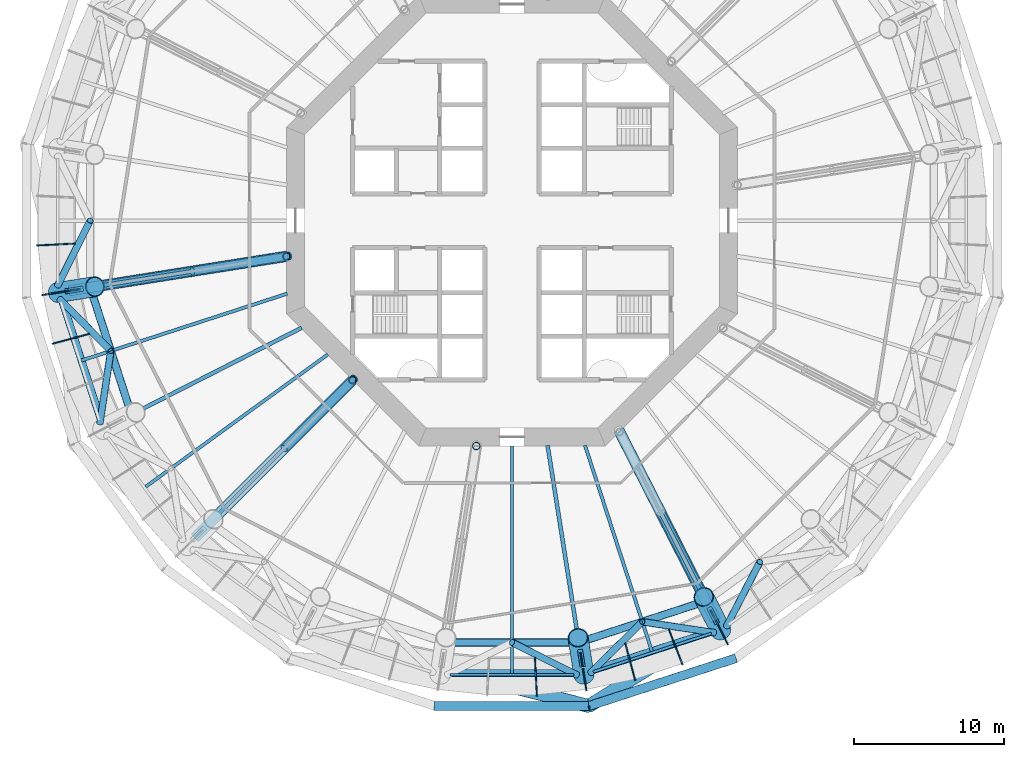
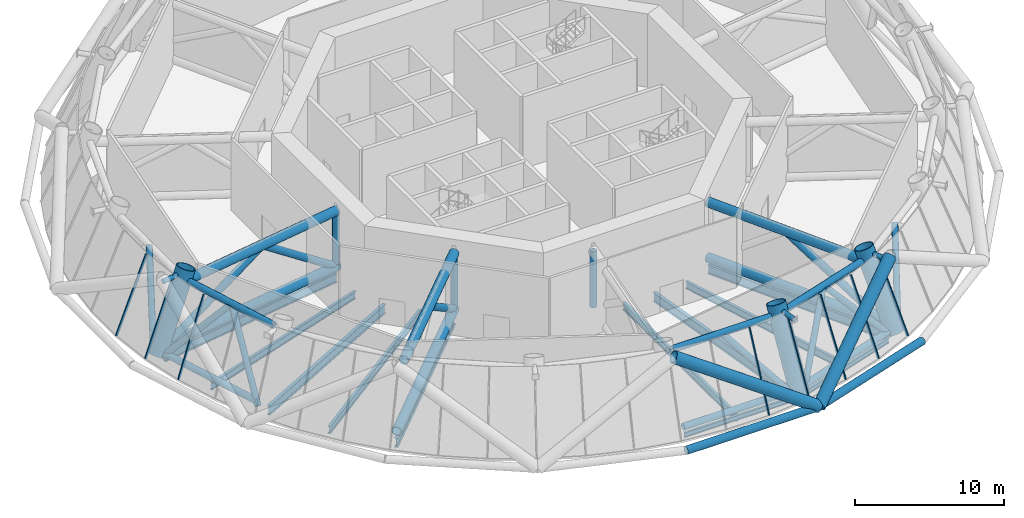
# One storey, part 2 of 18: 44 members, 11 beams, 5 elements without a shape of their own.
"""IFC4 building model written with IfcOpenShell, lengths in metres."""

from ifc_helpers import new_model, si_unit, direction, frame, origin, origin_2d, place, context, subcontext, project, spatial, rectangle, circle, hollow_circle, i_section, extrude, material, layer, layer_set, material_profile, profile_set, type_object, element, aggregate, save


model = new_model("IFC4")

# Units and contexts
model_context = context("Model", 3, precision=1e-05, world=origin(), true_north=direction((0.0, 1.0)))
body_context = subcontext(model_context, "Body", "Model", "MODEL_VIEW")
ifc_project = project(units=[si_unit("LENGTHUNIT", "METRE"), si_unit("AREAUNIT", "SQUARE_METRE"), si_unit("VOLUMEUNIT", "CUBIC_METRE"), si_unit("PLANEANGLEUNIT", "RADIAN"), si_unit("MASSUNIT", "GRAM", prefix="KILO")], contexts=[model_context])

# Site, building, storey
site_placement = place(None, origin())
site = spatial("IfcSite", under=ifc_project, at=site_placement, CompositionType="ELEMENT")
building_placement = place(site_placement, origin())
building = spatial("IfcBuilding", under=site, at=building_placement, Name="Entoto Ring Tower", CompositionType="ELEMENT")
storey_placement = place(building_placement, frame((0.0, 0.0, 138.0)))
storey = spatial("IfcBuildingStorey", under=building, at=storey_placement, Name="L31", CompositionType="ELEMENT", Elevation=138.0)

# Members
ifc_material_1 = material(Name="Steel S355", Category="steel")
ifc_material_profile_1 = material_profile(ifc_material_1, hollow_circle(Radius=0.449951171875, WallThickness=0.044921875, at=origin_2d()), Name="CHS 900 x 45")
ifc_material_2 = material(Name="Concrete C60/75", Category="concrete")
ifc_material_profile_2 = material_profile(ifc_material_2, circle(Radius=0.405029296875, at=origin_2d()), Name="Concrete C60/75 infill")
ifc_profile_set_1 = profile_set([ifc_material_profile_1, ifc_material_profile_2], Name="Steel S355")
member_type_1 = type_object("IfcMemberType", Name="Diagrid diagonal 900 x 45 concrete-filled tube", PredefinedType="BRACE", material=ifc_profile_set_1)
member_1_placement = place(storey_placement, frame((95.115478515625, 47.70263671875, 0.0), z_axis=(-0.834845945044, 0.209498607785, 0.509060488919), x_axis=(-0.243396217162, -0.969926946461, 0.0)))
element("IfcMember", 1, at=member_1_placement, inside=storey, type_object=member_type_1, Name="DG2 module 10 15", PredefinedType="BRACE", context=body_context, shape_type="SweptSolid", body=[
    extrude(hollow_circle(Radius=0.449951171875, WallThickness=0.044921875, at=origin_2d()), origin(), (0.0, 0.0, 1.0), 11.786376953125),
])
member_2_placement = place(storey_placement, frame((95.115478515625, 47.70263671875, 0.0), z_axis=(0.729241692547, 0.457223459156, 0.509070979578), x_axis=(-0.531207647366, 0.847241662915, 0.0)))
element("IfcMember", 2, at=member_2_placement, inside=storey, type_object=member_type_1, Name="DG2 module 10 16", PredefinedType="BRACE", context=body_context, shape_type="SweptSolid", body=[
    extrude(hollow_circle(Radius=0.449951171875, WallThickness=0.044921875, at=origin_2d()), origin(), (0.0, 0.0, 1.0), 11.7861328125),
])
ifc_material_3 = material(Name="Steel S355", Category="steel")
ifc_material_profile_3 = material_profile(ifc_material_3, hollow_circle(Radius=0.177734375, WallThickness=0.01611328125, at=origin_2d()), Name="CHS 355.6 x 16")
ifc_material_4 = material(Name="Concrete C60/75", Category="concrete")
ifc_material_profile_4 = material_profile(ifc_material_4, circle(Radius=0.161865234375, at=origin_2d()), Name="Concrete C60/75 infill")
ifc_profile_set_2 = profile_set([ifc_material_profile_3, ifc_material_profile_4], Name="Steel S355")
member_type_2 = type_object("IfcMemberType", Name="Diagrid node strut 355.6 x 16", PredefinedType="STRUT", material=ifc_profile_set_2)
for number, where, z_axis, x_axis, name in (
    (3, (61.464111328125, 75.48046875, 5.672119140625), (-0.987667778842, -0.156564231664, 0.0), (0.156564231664, -0.987667778842, 0.0), "DS1 strut ring 10 11"),
    (4, (94.51953125, 51.464111328125, 5.672119140625), (0.156564231664, -0.987667778842, 0.0), (0.987667778842, 0.156564231664, 0.0), "DS1 strut ring 10 16"),
):
    element("IfcMember", number, at=place(storey_placement, frame(where, z_axis=z_axis, x_axis=x_axis)), inside=storey, type_object=member_type_2, Name=name, PredefinedType="STRUT", context=body_context, shape_type="SweptSolid", body=[
        extrude(hollow_circle(Radius=0.177734375, WallThickness=0.01611328125, at=origin_2d()), origin(), (0.0, 0.0, 1.0), 1.20849609375),
    ])
member_3_placement = place(storey_placement, frame((103.116455078125, 54.25732421875, 5.672119140625), z_axis=(0.453989339683, -0.891007115266, 0.0), x_axis=(0.891007115266, 0.453989339683, 0.0)))
element("IfcMember", 5, at=member_3_placement, inside=storey, type_object=member_type_2, Name="DS1 strut ring 10 17", PredefinedType="STRUT", context=body_context, shape_type="SweptSolid", body=[
    extrude(hollow_circle(Radius=0.177734375, WallThickness=0.01611328125, at=origin_2d()), origin(), (0.0, 0.0, 1.0), 1.208251953125),
])
ifc_material_5 = material(Name="Steel S355", Category="steel")
ifc_material_profile_5 = material_profile(ifc_material_5, hollow_circle(Radius=0.300048828125, WallThickness=0.030029296875, at=origin_2d()), Name="CHS 600 x 30")
ifc_material_6 = material(Name="Concrete C60/75", Category="concrete")
ifc_material_profile_6 = material_profile(ifc_material_6, circle(Radius=0.27001953125, at=origin_2d()), Name="Concrete C60/75 infill")
ifc_profile_set_3 = profile_set([ifc_material_profile_5, ifc_material_profile_6], Name="Steel S355")
member_type_3 = type_object("IfcMemberType", Name="Diagrid ring beam 600 x 30", PredefinedType="CHORD", material=ifc_profile_set_3)
for number, where, z_axis, x_axis, name in (
    (6, (84.817138671875, 47.70263671875, 0.0), (1.0, 0.0, 0.0), (0.0, 1.0, 0.0), "DR1 ring 9 14"),
    (7, (95.05126953125, 47.681640625, 0.0), (0.951051375491, 0.309032815696, 0.0), (-0.309032815696, 0.951051375491, 0.0), "DR1 ring 9 15"),
):
    element("IfcMember", number, at=place(storey_placement, frame(where, z_axis=z_axis, x_axis=x_axis)), inside=storey, type_object=member_type_3, Name=name, PredefinedType="CHORD", context=body_context, shape_type="SweptSolid", body=[
        extrude(hollow_circle(Radius=0.300048828125, WallThickness=0.030029296875, at=origin_2d()), origin(), (0.0, 0.0, 1.0), 10.36572265625),
    ])

# Beams
ifc_material_7 = material(Name="Steel S355", Category="steel")
ifc_material_profile_7 = material_profile(ifc_material_7, i_section(OverallWidth=0.179931640625, OverallDepth=0.39990234375, WebThickness=0.008544921875, FlangeThickness=0.013427734375, FilletRadius=0.02099609375, at=origin_2d()), Name="IPE 400")
ifc_profile_set_4 = profile_set([ifc_material_profile_7], Name="Steel S355")
beam_type_1 = type_object("IfcBeamType", Name="Edge beam IPE 400", PredefinedType="SPANDREL", material=ifc_profile_set_4)
for number, where, z_axis, x_axis, name in (
    (8, (85.862060546875, 49.77685546875, -0.35009765625), (1.0, 0.0, 0.0), (0.0, 1.0, 0.0), "Edge beam L31 15"),
    (9, (95.404052734375, 49.977294921875, -0.35009765625), (0.951057262656, 0.309014697302, 0.0), (-0.309014697302, 0.951057262656, 0.0), "Edge beam L31 16"),
):
    element("IfcBeam", number, at=place(storey_placement, frame(where, z_axis=z_axis, x_axis=x_axis)), inside=storey, type_object=beam_type_1, Name=name, PredefinedType="SPANDREL", context=body_context, shape_type="SweptSolid", body=[
        extrude(i_section(OverallWidth=0.179931640625, OverallDepth=0.39990234375, WebThickness=0.008544921875, FlangeThickness=0.013427734375, FilletRadius=0.02099609375, at=origin_2d()), origin(), (0.0, 0.0, 1.0), 8.27587890625),
    ])

# Curtain wall, member
ifc_material_8 = material(Name="Anodised aluminium", Category="aluminium")
ifc_layer = layer(ifc_material_8, 0.10009765625)
ifc_layer_set = layer_set([ifc_layer], Name="Anodised aluminium")
curtain_wall_type = type_object("IfcCurtainWallType", Name="Louvre curtain wall system CW7", PredefinedType="NOTDEFINED", material=ifc_layer_set)
curtain_wall_1_placement = place(storey_placement, origin())
curtain_wall_1 = element("IfcCurtainWall", 10, at=curtain_wall_1_placement, inside=storey, type_object=curtain_wall_type, Name="CW7 L31-10", PredefinedType="NOTDEFINED")
ifc_material_9 = material(Name="Anodised aluminium", Category="aluminium")
ifc_material_profile_8 = material_profile(ifc_material_9, rectangle(XDim=0.080078125, YDim=0.199951171875, at=origin_2d()), Name="Mullion 80 x 200 mm anodised aluminium")
ifc_profile_set_5 = profile_set([ifc_material_profile_8], Name="Anodised aluminium")
member_type_4 = type_object("IfcMemberType", Name="Mullion 80 x 200 mm anodised aluminium", PredefinedType="MULLION", material=ifc_profile_set_5)
member_4_placement = place(storey_placement, frame((58.450927734375, 78.3466796875, 0.03857421875), z_axis=(0.384088559131, 0.020104239044, 0.923077352293), x_axis=(-0.052271161513, 0.998632928395, 0.0)))
member_4 = element("IfcMember", 11, at=member_4_placement, type_object=member_type_4, Name="MULLION L31-29", PredefinedType="MULLION", context=body_context, shape_type="SweptSolid", body=[
    extrude(rectangle(XDim=0.080078125, YDim=0.199951171875, at=origin_2d()), origin(), (0.0, 0.0, 1.0), 6.25390625),
])
aggregate(curtain_wall_1, [member_4])

# Curtain wall, members
curtain_wall_2_placement = place(storey_placement, origin())
curtain_wall_2 = element("IfcCurtainWall", 12, at=curtain_wall_2_placement, inside=storey, type_object=curtain_wall_type, Name="CW7 L31-11", PredefinedType="NOTDEFINED")
member_5_placement = place(storey_placement, frame((58.796630859375, 75.057861328125, 0.03857421875), z_axis=(0.379873712431, 0.060156755817, 0.923080238838), x_axis=(-0.156410801358, 0.987692088264, 0.0)))
member_5 = element("IfcMember", 13, at=member_5_placement, type_object=member_type_4, Name="MULLION L31-30", PredefinedType="MULLION", context=body_context, shape_type="SweptSolid", body=[
    extrude(rectangle(XDim=0.080078125, YDim=0.199951171875, at=origin_2d()), origin(), (0.0, 0.0, 1.0), 6.25390625),
])
member_6_placement = place(storey_placement, frame((59.484130859375, 71.8232421875, 0.03857421875), z_axis=(0.371517215719, 0.099544909119, 0.923074086676), x_axis=(-0.258812183003, 0.965927664957, 0.0)))
member_6 = element("IfcMember", 14, at=member_6_placement, type_object=member_type_4, Name="MULLION L31-31", PredefinedType="MULLION", context=body_context, shape_type="SweptSolid", body=[
    extrude(rectangle(XDim=0.080078125, YDim=0.199951171875, at=origin_2d()), origin(), (0.0, 0.0, 1.0), 6.254150390625),
])
aggregate(curtain_wall_2, [member_5, member_6])

# Curtain wall, member
curtain_wall_3_placement = place(storey_placement, origin())
curtain_wall_3 = element("IfcCurtainWall", 15, at=curtain_wall_3_placement, inside=storey, type_object=curtain_wall_type, Name="CW7 L31-15", PredefinedType="NOTDEFINED")
member_7_placement = place(storey_placement, frame((91.6533203125, 48.450927734375, 0.03857421875), z_axis=(-0.020104239044, 0.384088559131, 0.923077352293), x_axis=(-0.998632928395, -0.052271161513, 0.0)))
member_7 = element("IfcMember", 16, at=member_7_placement, type_object=member_type_4, Name="MULLION L31-44", PredefinedType="MULLION", context=body_context, shape_type="SweptSolid", body=[
    extrude(rectangle(XDim=0.080078125, YDim=0.199951171875, at=origin_2d()), origin(), (0.0, 0.0, 1.0), 6.25390625),
])
aggregate(curtain_wall_3, [member_7])

# Curtain wall, members
curtain_wall_4_placement = place(storey_placement, origin())
curtain_wall_4 = element("IfcCurtainWall", 17, at=curtain_wall_4_placement, inside=storey, type_object=curtain_wall_type, Name="CW7 L31-16", PredefinedType="NOTDEFINED")
member_8_placement = place(storey_placement, frame((94.942138671875, 48.796630859375, 0.03857421875), z_axis=(-0.060156755817, 0.379873712431, 0.923080238838), x_axis=(-0.987692088264, -0.156410801358, 0.0)))
member_8 = element("IfcMember", 18, at=member_8_placement, type_object=member_type_4, Name="MULLION L31-45", PredefinedType="MULLION", context=body_context, shape_type="SweptSolid", body=[
    extrude(rectangle(XDim=0.080078125, YDim=0.199951171875, at=origin_2d()), origin(), (0.0, 0.0, 1.0), 6.25390625),
])
member_9_placement = place(storey_placement, frame((98.1767578125, 49.484130859375, 0.03857421875), z_axis=(-0.099544909119, 0.371517215719, 0.923074086676), x_axis=(-0.965927664957, -0.258812183003, 0.0)))
member_9 = element("IfcMember", 19, at=member_9_placement, type_object=member_type_4, Name="MULLION L31-46", PredefinedType="MULLION", context=body_context, shape_type="SweptSolid", body=[
    extrude(rectangle(XDim=0.080078125, YDim=0.199951171875, at=origin_2d()), origin(), (0.0, 0.0, 1.0), 6.254150390625),
])
member_10_placement = place(storey_placement, frame((101.32177734375, 50.506103515625, 0.03857421875), z_axis=(-0.137840906866, 0.359065607861, 0.92307733893), x_axis=(-0.933573002991, -0.358387287841, 0.0)))
member_10 = element("IfcMember", 20, at=member_10_placement, type_object=member_type_4, Name="MULLION L31-47", PredefinedType="MULLION", context=body_context, shape_type="SweptSolid", body=[
    extrude(rectangle(XDim=0.080078125, YDim=0.199951171875, at=origin_2d()), origin(), (0.0, 0.0, 1.0), 6.25390625),
])
aggregate(curtain_wall_4, [member_8, member_9, member_10])

# Curtain wall, member
curtain_wall_5_placement = place(storey_placement, origin())
curtain_wall_5 = element("IfcCurtainWall", 21, at=curtain_wall_5_placement, inside=storey, type_object=curtain_wall_type, Name="CW7 L31-17", PredefinedType="NOTDEFINED")
member_11_placement = place(storey_placement, frame((104.342529296875, 51.85107421875, 0.03857421875), z_axis=(-0.174613111757, 0.342707021712, 0.923072130698), x_axis=(-0.891011611713, -0.453980514773, 0.0)))
member_11 = element("IfcMember", 22, at=member_11_placement, type_object=member_type_4, Name="MULLION L31-48", PredefinedType="MULLION", context=body_context, shape_type="SweptSolid", body=[
    extrude(rectangle(XDim=0.080078125, YDim=0.199951171875, at=origin_2d()), origin(), (0.0, 0.0, 1.0), 6.254150390625),
])
aggregate(curtain_wall_5, [member_11])

# Members
ifc_material_10 = material(Name="Steel S355", Category="steel")
ifc_material_profile_9 = material_profile(ifc_material_10, hollow_circle(Radius=0.35546875, WallThickness=0.0400390625, at=origin_2d()), Name="CHS 711 x 40")
ifc_material_11 = material(Name="Concrete C60/75", Category="concrete")
ifc_material_profile_10 = material_profile(ifc_material_11, circle(Radius=0.3154296875, at=origin_2d()), Name="Concrete C60/75 infill")
ifc_profile_set_6 = profile_set([ifc_material_profile_9, ifc_material_profile_10], Name="Steel S355")
member_type_5 = type_object("IfcMemberType", Name="Outrigger chord 711 x 40", PredefinedType="CHORD", material=ifc_profile_set_6)
member_12_placement = place(storey_placement, frame((75.075439453125, 77.63623046875, 0.35546875), z_axis=(-0.987686969269, -0.156443123004, 0.0), x_axis=(0.156443123004, -0.987686969269, 0.0)))
element("IfcMember", 23, at=member_12_placement, inside=storey, type_object=member_type_5, Name="OR1 L31 bottom 06", PredefinedType="CHORD", context=body_context, shape_type="SweptSolid", body=[
    extrude(hollow_circle(Radius=0.35546875, WallThickness=0.0400390625, at=origin_2d()), origin(), (0.0, 0.0, 1.0), 14.739501953125),
])
member_13_placement = place(storey_placement, frame((75.075439453125, 77.63623046875, 4.89453125), z_axis=(-0.987687356525, -0.156440678087, 0.0), x_axis=(0.156440678087, -0.987687356525, 0.0)))
element("IfcMember", 24, at=member_13_placement, inside=storey, type_object=member_type_5, Name="OR1 L31 top 06", PredefinedType="CHORD", context=body_context, shape_type="SweptSolid", body=[
    extrude(hollow_circle(Radius=0.35546875, WallThickness=0.0400390625, at=origin_2d()), origin(), (0.0, 0.0, 1.0), 12.848388671875),
])
member_14_placement = place(storey_placement, frame((79.407470703125, 69.407470703125, 0.35546875), z_axis=(-0.707106781187, -0.707106781187, 0.0), x_axis=(0.707106781187, -0.707106781187, 0.0)))
element("IfcMember", 25, at=member_14_placement, inside=storey, type_object=member_type_5, Name="OR1 L31 bottom 07", PredefinedType="CHORD", context=body_context, shape_type="SweptSolid", body=[
    extrude(hollow_circle(Radius=0.35546875, WallThickness=0.0400390625, at=origin_2d()), origin(), (0.0, 0.0, 1.0), 14.870361328125),
])
member_15_placement = place(storey_placement, frame((79.407470703125, 69.407470703125, 4.89453125), z_axis=(-0.707106781187, -0.707106781187, 0.0), x_axis=(0.707106781187, -0.707106781187, 0.0)))
element("IfcMember", 26, at=member_15_placement, inside=storey, type_object=member_type_5, Name="OR1 L31 top 07", PredefinedType="CHORD", context=body_context, shape_type="SweptSolid", body=[
    extrude(hollow_circle(Radius=0.35546875, WallThickness=0.0400390625, at=origin_2d()), origin(), (0.0, 0.0, 1.0), 12.97900390625),
])
member_16_placement = place(storey_placement, frame((97.098876953125, 66.06787109375, 0.35546875), z_axis=(0.453988820208, -0.89100737995, 0.0), x_axis=(0.89100737995, 0.453988820208, 0.0)))
element("IfcMember", 27, at=member_16_placement, inside=storey, type_object=member_type_5, Name="OR1 L31 bottom 09", PredefinedType="CHORD", context=body_context, shape_type="SweptSolid", body=[
    extrude(hollow_circle(Radius=0.35546875, WallThickness=0.0400390625, at=origin_2d()), origin(), (0.0, 0.0, 1.0), 14.213623046875),
])
member_17_placement = place(storey_placement, frame((97.098876953125, 66.06787109375, 4.89453125), z_axis=(0.453984546061, -0.891009557714, 0.0), x_axis=(0.891009557714, 0.453984546061, 0.0)))
element("IfcMember", 28, at=member_17_placement, inside=storey, type_object=member_type_5, Name="OR1 L31 top 09", PredefinedType="CHORD", context=body_context, shape_type="SweptSolid", body=[
    extrude(hollow_circle(Radius=0.35546875, WallThickness=0.0400390625, at=origin_2d()), origin(), (0.0, 0.0, 1.0), 12.322509765625),
])
ifc_material_12 = material(Name="Steel S355", Category="steel")
ifc_material_profile_11 = material_profile(ifc_material_12, hollow_circle(Radius=0.279541015625, WallThickness=0.031982421875, at=origin_2d()), Name="CHS 559 x 32")
ifc_material_13 = material(Name="Concrete C60/75", Category="concrete")
ifc_material_profile_12 = material_profile(ifc_material_13, circle(Radius=0.24755859375, at=origin_2d()), Name="Concrete C60/75 infill")
ifc_profile_set_7 = profile_set([ifc_material_profile_11, ifc_material_profile_12], Name="Steel S355")
member_type_6 = type_object("IfcMemberType", Name="Outrigger diagonal 559 x 32", PredefinedType="BRACE", material=ifc_profile_set_7)
member_18_placement = place(storey_placement, frame((75.182373046875, 77.653076171875, 0.223388671875), z_axis=(-0.803483969529, -0.127267435137, 0.581563849172), x_axis=(0.156444149931, -0.98768680661, 0.0)))
element("IfcMember", 29, at=member_18_placement, inside=storey, type_object=member_type_6, Name="OR2 L31 06 1", PredefinedType="BRACE", context=body_context, shape_type="SweptSolid", body=[
    extrude(hollow_circle(Radius=0.279541015625, WallThickness=0.031982421875, at=origin_2d()), origin(), (0.0, 0.0, 1.0), 8.031982421875),
])
member_19_placement = place(storey_placement, frame((68.728759765625, 76.630859375, 4.89453125), z_axis=(-0.865125410982, -0.137005124238, -0.48248069309), x_axis=(0.156415219895, -0.987691388535, 0.0)))
element("IfcMember", 30, at=member_19_placement, inside=storey, type_object=member_type_6, Name="OR2 L31 06 2", PredefinedType="BRACE", context=body_context, shape_type="SweptSolid", body=[
    extrude(hollow_circle(Radius=0.279541015625, WallThickness=0.031982421875, at=origin_2d()), origin(), (0.0, 0.0, 1.0), 9.517578125),
])
member_20_placement = place(storey_placement, frame((79.518798828125, 69.518798828125, 0.23046875), z_axis=(-0.578052859484, -0.578052859484, 0.575942517345), x_axis=(0.707106781187, -0.707106781187, 0.0)))
element("IfcMember", 31, at=member_20_placement, inside=storey, type_object=member_type_6, Name="OR2 L31 07 1", PredefinedType="BRACE", context=body_context, shape_type="SweptSolid", body=[
    extrude(hollow_circle(Radius=0.279541015625, WallThickness=0.031982421875, at=origin_2d()), origin(), (0.0, 0.0, 1.0), 8.09814453125),
])
member_21_placement = place(storey_placement, frame((99.91015625, 60.550537109375, 4.89453125), z_axis=(0.394219192289, -0.77373913237, -0.495902191436), x_axis=(0.891016113801, 0.453971678573, 0.0)))
element("IfcMember", 32, at=member_21_placement, inside=storey, type_object=member_type_6, Name="OR2 L31 09 2", PredefinedType="BRACE", context=body_context, shape_type="SweptSolid", body=[
    extrude(hollow_circle(Radius=0.279541015625, WallThickness=0.031982421875, at=origin_2d()), origin(), (0.0, 0.0, 1.0), 9.267822265625),
])
ifc_material_14 = material(Name="Steel S355", Category="steel")
ifc_material_profile_13 = material_profile(ifc_material_14, hollow_circle(Radius=0.25390625, WallThickness=0.030029296875, at=origin_2d()), Name="CHS 508 x 30")
ifc_material_15 = material(Name="Concrete C60/75", Category="concrete")
ifc_material_profile_14 = material_profile(ifc_material_15, circle(Radius=0.22412109375, at=origin_2d()), Name="Concrete C60/75 infill")
ifc_profile_set_8 = profile_set([ifc_material_profile_13, ifc_material_profile_14], Name="Steel S355")
member_type_7 = type_object("IfcMemberType", Name="Outrigger post 508 x 30", PredefinedType="POST", material=ifc_profile_set_8)
for number, where, z_axis, x_axis, name in (
    (33, (75.0, 77.624267578125, 0.35546875), (0.0, 0.0, 1.0), (1.0, 0.0, 0.0), "OR3 L31 06"),
    (34, (79.393310546875, 69.393310546875, 0.35546875), (0.0, 0.0, 1.0), (1.0, 0.0, 0.0), "OR3 L31 07"),
    (35, (87.624267578125, 65.0, 0.35546875), (0.0, 0.0, 1.0), (1.0, 0.0, 0.0), "OR3 L31 08"),
):
    element("IfcMember", number, at=place(storey_placement, frame(where, z_axis=z_axis, x_axis=x_axis)), inside=storey, type_object=member_type_7, Name=name, PredefinedType="POST", context=body_context, shape_type="SweptSolid", body=[
        extrude(hollow_circle(Radius=0.25390625, WallThickness=0.030029296875, at=origin_2d()), origin(), (0.0, 0.0, 1.0), 4.5390625),
    ])

# Beams
ifc_material_16 = material(Name="Steel S355", Category="steel")
ifc_material_profile_15 = material_profile(ifc_material_16, i_section(OverallWidth=0.262939453125, OverallDepth=0.7529296875, WebThickness=0.011474609375, FlangeThickness=0.01708984375, FilletRadius=0.01708984375, at=origin_2d()), Name="IPE 750 x 137")
ifc_profile_set_9 = profile_set([ifc_material_profile_15], Name="Steel S355")
beam_type_2 = type_object("IfcBeamType", Name="Primary floor beam IPE 750 x 137", PredefinedType="BEAM", material=ifc_profile_set_9)
beam_1_placement = place(storey_placement, frame((75.040283203125, 77.630615234375, -0.526611328125), z_axis=(-0.987687608224, -0.156439088977, 0.0), x_axis=(0.156439088977, -0.987687608224, 0.0)))
element("IfcBeam", 36, at=beam_1_placement, inside=storey, type_object=beam_type_2, Name="Primary L31 R11", PredefinedType="BEAM", context=body_context, shape_type="SweptSolid", body=[
    extrude(i_section(OverallWidth=0.262939453125, OverallDepth=0.7529296875, WebThickness=0.011474609375, FlangeThickness=0.01708984375, FilletRadius=0.01708984375, at=origin_2d()), origin(), (0.0, 0.0, 1.0), 14.811767578125),
])
beam_2_placement = place(storey_placement, frame((76.0029296875, 72.8681640625, -0.526611328125), z_axis=(-0.891005366009, -0.453992772788, 0.0), x_axis=(0.453992772788, -0.891005366009, 0.0)))
element("IfcBeam", 37, at=beam_2_placement, inside=storey, type_object=beam_type_2, Name="Primary L31 R12", PredefinedType="BEAM", context=body_context, shape_type="SweptSolid", body=[
    extrude(i_section(OverallWidth=0.262939453125, OverallDepth=0.7529296875, WebThickness=0.011474609375, FlangeThickness=0.01708984375, FilletRadius=0.01708984375, at=origin_2d()), origin(), (0.0, 0.0, 1.0), 14.24853515625),
])
beam_3_placement = place(storey_placement, frame((79.407470703125, 69.407470703125, -0.526611328125), z_axis=(-0.707106781187, -0.707106781187, 0.0), x_axis=(0.707106781187, -0.707106781187, 0.0)))
element("IfcBeam", 38, at=beam_3_placement, inside=storey, type_object=beam_type_2, Name="Primary L31 R13", PredefinedType="BEAM", context=body_context, shape_type="SweptSolid", body=[
    extrude(i_section(OverallWidth=0.262939453125, OverallDepth=0.7529296875, WebThickness=0.011474609375, FlangeThickness=0.01708984375, FilletRadius=0.01708984375, at=origin_2d()), origin(), (0.0, 0.0, 1.0), 14.977783203125),
])
beam_4_placement = place(storey_placement, frame((92.369384765625, 65.040283203125, -0.526611328125), z_axis=(0.156439088977, -0.987687608224, 0.0), x_axis=(0.987687608224, 0.156439088977, 0.0)))
element("IfcBeam", 39, at=beam_4_placement, inside=storey, type_object=beam_type_2, Name="Primary L31 R16", PredefinedType="BEAM", context=body_context, shape_type="SweptSolid", body=[
    extrude(i_section(OverallWidth=0.262939453125, OverallDepth=0.7529296875, WebThickness=0.011474609375, FlangeThickness=0.01708984375, FilletRadius=0.01708984375, at=origin_2d()), origin(), (0.0, 0.0, 1.0), 14.811767578125),
])
beam_5_placement = place(storey_placement, frame((97.1318359375, 66.0029296875, -0.526611328125), z_axis=(0.453992772788, -0.891005366009, 0.0), x_axis=(0.891005366009, 0.453992772788, 0.0)))
element("IfcBeam", 40, at=beam_5_placement, inside=storey, type_object=beam_type_2, Name="Primary L31 R17", PredefinedType="BEAM", context=body_context, shape_type="SweptSolid", body=[
    extrude(i_section(OverallWidth=0.262939453125, OverallDepth=0.7529296875, WebThickness=0.011474609375, FlangeThickness=0.01708984375, FilletRadius=0.01708984375, at=origin_2d()), origin(), (0.0, 0.0, 1.0), 14.24853515625),
])

# Members
ifc_material_17 = material(Name="Steel S355", Category="steel")
ifc_material_profile_16 = material_profile(ifc_material_17, hollow_circle(Radius=0.675048828125, WallThickness=0.06005859375, at=origin_2d()), Name="CHS 1350 x 60")
ifc_material_18 = material(Name="Concrete C60/75", Category="concrete")
ifc_material_profile_17 = material_profile(ifc_material_18, circle(Radius=0.614990234375, at=origin_2d()), Name="Concrete C60/75 infill")
ifc_profile_set_10 = profile_set([ifc_material_profile_16, ifc_material_profile_17], Name="Steel S355")
member_type_8 = type_object("IfcMemberType", Name="Ring column jog 1350 x 60 concrete-filled tube", PredefinedType="STRUT", material=ifc_profile_set_10)
for number, where, z_axis, x_axis, name in (
    (41, (59.77685546875, 75.213134765625, 0.0), (0.379850189746, 0.060172056163, 0.923088921506), (-0.156459060658, 0.987684444718, 0.0), "RJ2B R11"),
    (42, (94.786865234375, 49.77685546875, 0.0), (-0.060172056163, 0.379850189746, 0.923088921506), (-0.987684444718, -0.156459060658, 0.0), "RJ2B R16"),
    (43, (103.89208984375, 52.735107421875, 0.0), (-0.174616520339, 0.342697597672, 0.923074984698), (-0.891002976909, -0.453997461601, 0.0), "RJ2B R17"),
):
    element("IfcMember", number, at=place(storey_placement, frame(where, z_axis=z_axis, x_axis=x_axis)), inside=storey, type_object=member_type_8, Name=name, PredefinedType="STRUT", context=body_context, shape_type="SweptSolid", body=[
        extrude(hollow_circle(Radius=0.675048828125, WallThickness=0.06005859375, at=origin_2d()), origin(), (0.0, 0.0, 1.0), 6.5),
    ])
ifc_material_19 = material(Name="Steel S355", Category="steel")
ifc_material_profile_18 = material_profile(ifc_material_19, hollow_circle(Radius=0.25390625, WallThickness=0.030029296875, at=origin_2d()), Name="CHS 508 x 30")
ifc_material_20 = material(Name="Concrete C60/75", Category="concrete")
ifc_material_profile_19 = material_profile(ifc_material_20, circle(Radius=0.22412109375, at=origin_2d()), Name="Concrete C60/75 infill")
ifc_profile_set_11 = profile_set([ifc_material_profile_18, ifc_material_profile_19], Name="Steel S355")
member_type_9 = type_object("IfcMemberType", Name="Ring truss chord 508 x 30", PredefinedType="CHORD", material=ifc_profile_set_11)
member_22_placement = place(storey_placement, frame((60.069091796875, 74.6513671875, 0.25390625), z_axis=(0.309021747199, -0.951054971996, 0.0), x_axis=(0.951054971996, 0.309021747199, 0.0)))
element("IfcMember", 44, at=member_22_placement, inside=storey, type_object=member_type_9, Name="BT1 L31 bottom 11", PredefinedType="CHORD", context=body_context, shape_type="SweptSolid", body=[
    extrude(hollow_circle(Radius=0.25390625, WallThickness=0.030029296875, at=origin_2d()), origin(), (0.0, 0.0, 1.0), 8.32470703125),
])
member_23_placement = place(storey_placement, frame((62.119384765625, 74.97607421875, 5.236083984375), z_axis=(0.309023496777, -0.951054403512, 0.0), x_axis=(0.951054403512, 0.309023496777, 0.0)))
element("IfcMember", 45, at=member_23_placement, inside=storey, type_object=member_type_9, Name="BT1 L31 top 11", PredefinedType="CHORD", context=body_context, shape_type="SweptSolid", body=[
    extrude(hollow_circle(Radius=0.25390625, WallThickness=0.030029296875, at=origin_2d()), origin(), (0.0, 0.0, 1.0), 7.67529296875),
])
member_24_placement = place(storey_placement, frame((85.837646484375, 49.88134765625, 0.25390625), z_axis=(1.0, 0.0, 0.0), x_axis=(0.0, 1.0, 0.0)))
element("IfcMember", 46, at=member_24_placement, inside=storey, type_object=member_type_9, Name="BT1 L31 bottom 15", PredefinedType="CHORD", context=body_context, shape_type="SweptSolid", body=[
    extrude(hollow_circle(Radius=0.25390625, WallThickness=0.030029296875, at=origin_2d()), origin(), (0.0, 0.0, 1.0), 8.32470703125),
])
member_25_placement = place(storey_placement, frame((86.162353515625, 51.931640625, 5.236083984375), z_axis=(1.0, 0.0, 0.0), x_axis=(0.0, 1.0, 0.0)))
element("IfcMember", 47, at=member_25_placement, inside=storey, type_object=member_type_9, Name="BT1 L31 top 15", PredefinedType="CHORD", context=body_context, shape_type="SweptSolid", body=[
    extrude(hollow_circle(Radius=0.25390625, WallThickness=0.030029296875, at=origin_2d()), origin(), (0.0, 0.0, 1.0), 7.67529296875),
])
member_26_placement = place(storey_placement, frame((95.3486328125, 50.069091796875, 0.25390625), z_axis=(0.951054971996, 0.309021747199, 0.0), x_axis=(-0.309021747199, 0.951054971996, 0.0)))
element("IfcMember", 48, at=member_26_placement, inside=storey, type_object=member_type_9, Name="BT1 L31 bottom 16", PredefinedType="CHORD", context=body_context, shape_type="SweptSolid", body=[
    extrude(hollow_circle(Radius=0.25390625, WallThickness=0.030029296875, at=origin_2d()), origin(), (0.0, 0.0, 1.0), 8.32470703125),
])
member_27_placement = place(storey_placement, frame((95.02392578125, 52.119384765625, 5.236083984375), z_axis=(0.951054403512, 0.309023496777, 0.0), x_axis=(-0.309023496777, 0.951054403512, 0.0)))
element("IfcMember", 49, at=member_27_placement, inside=storey, type_object=member_type_9, Name="BT1 L31 top 16", PredefinedType="CHORD", context=body_context, shape_type="SweptSolid", body=[
    extrude(hollow_circle(Radius=0.25390625, WallThickness=0.030029296875, at=origin_2d()), origin(), (0.0, 0.0, 1.0), 7.67529296875),
])
ifc_material_21 = material(Name="Steel S355", Category="steel")
ifc_material_profile_20 = material_profile(ifc_material_21, hollow_circle(Radius=0.228515625, WallThickness=0.02001953125, at=origin_2d()), Name="CHS 457 x 20")
ifc_material_22 = material(Name="Concrete C60/75", Category="concrete")
ifc_material_profile_21 = material_profile(ifc_material_22, circle(Radius=0.20849609375, at=origin_2d()), Name="Concrete C60/75 infill")
ifc_profile_set_12 = profile_set([ifc_material_profile_20, ifc_material_profile_21], Name="Steel S355")
member_type_10 = type_object("IfcMemberType", Name="Ring truss diagonal 457 x 20", PredefinedType="BRACE", material=ifc_profile_set_12)
for number, where, z_axis, x_axis, name in (
    (50, (61.931640625, 80.0, 5.236083984375), (-0.302976847604, -0.605166030745, -0.736192301677), (0.89419429899, -0.447679076632, 0.0), "BT2 L31 10 b"),
    (51, (59.91796875, 74.761962890625, -0.01220703125), (0.475166268021, -0.481912772872, 0.736190937921), (0.712073526329, 0.702104901778, 0.0), "BT2 L31 11 a"),
    (52, (63.305419921875, 71.326416015625, 5.236083984375), (-0.101129376835, -0.669173052268, -0.736193096449), (0.988772439917, -0.149429120526, 0.0), "BT2 L31 11 b"),
    (53, (90.0, 51.931640625, 5.236083984375), (0.605166030745, -0.302976847604, -0.736192301677), (0.447679076632, 0.89419429899, 0.0), "BT2 L31 15 b"),
    (54, (95.238037109375, 49.91796875, -0.01220703125), (0.481912772872, 0.475166268021, 0.736190937921), (-0.702104901778, 0.712073526329, 0.0), "BT2 L31 16 a"),
    (55, (98.673583984375, 53.305419921875, 5.236083984375), (0.669173052268, -0.101129376835, -0.736193096449), (0.149429120526, 0.988772439917, 0.0), "BT2 L31 16 b"),
    (56, (104.277587890625, 53.009033203125, -0.01220703125), (0.311504993202, 0.600818337811, 0.736194243498), (-0.887772911812, 0.460281714879, 0.0), "BT2 L31 17 a"),
):
    element("IfcMember", number, at=place(storey_placement, frame(where, z_axis=z_axis, x_axis=x_axis)), inside=storey, type_object=member_type_10, Name=name, PredefinedType="BRACE", context=body_context, shape_type="SweptSolid", body=[
        extrude(hollow_circle(Radius=0.228515625, WallThickness=0.02001953125, at=origin_2d()), origin(), (0.0, 0.0, 1.0), 7.12890625),
    ])

# Beams
ifc_material_23 = material(Name="Steel S355", Category="steel")
ifc_material_profile_22 = material_profile(ifc_material_23, i_section(OverallWidth=0.219970703125, OverallDepth=0.60009765625, WebThickness=0.011962890625, FlangeThickness=0.01904296875, FilletRadius=0.02392578125, at=origin_2d()), Name="IPE 600")
ifc_profile_set_13 = profile_set([ifc_material_profile_22], Name="Steel S355")
beam_type_3 = type_object("IfcBeamType", Name="Secondary floor beam IPE 600", PredefinedType="JOIST", material=ifc_profile_set_13)
beam_6_placement = place(storey_placement, frame((75.052978515625, 75.143310546875, -0.449951171875), z_axis=(-0.951057212949, -0.309014850288, 0.0), x_axis=(0.309014850288, -0.951057212949, 0.0)))
element("IfcBeam", 57, at=beam_6_placement, inside=storey, type_object=beam_type_3, Name="Secondary beam L31 11", PredefinedType="JOIST", context=body_context, shape_type="SweptSolid", body=[
    extrude(i_section(OverallWidth=0.219970703125, OverallDepth=0.60009765625, WebThickness=0.011962890625, FlangeThickness=0.01904296875, FilletRadius=0.02392578125, at=origin_2d()), origin(), (0.0, 0.0, 1.0), 14.4169921875),
])
beam_7_placement = place(storey_placement, frame((77.74365234375, 71.09521484375, -0.449951171875), z_axis=(-0.809019238239, -0.587782163866, 0.0), x_axis=(0.587782163866, -0.809019238239, 0.0)))
element("IfcBeam", 58, at=beam_7_placement, inside=storey, type_object=beam_type_3, Name="Secondary beam L31 12", PredefinedType="JOIST", context=body_context, shape_type="SweptSolid", body=[
    extrude(i_section(OverallWidth=0.219970703125, OverallDepth=0.60009765625, WebThickness=0.011962890625, FlangeThickness=0.01904296875, FilletRadius=0.02392578125, at=origin_2d()), origin(), (0.0, 0.0, 1.0), 14.983642578125),
])
beam_8_placement = place(storey_placement, frame((90.0, 65.02001953125, -0.449951171875), z_axis=(0.0, -1.0, 0.0), x_axis=(1.0, 0.0, 0.0)))
element("IfcBeam", 59, at=beam_8_placement, inside=storey, type_object=beam_type_3, Name="Secondary beam L31 15", PredefinedType="JOIST", context=body_context, shape_type="SweptSolid", body=[
    extrude(i_section(OverallWidth=0.219970703125, OverallDepth=0.60009765625, WebThickness=0.011962890625, FlangeThickness=0.01904296875, FilletRadius=0.02392578125, at=origin_2d()), origin(), (0.0, 0.0, 1.0), 15.1533203125),
])
beam_9_placement = place(storey_placement, frame((94.856689453125, 65.052978515625, -0.449951171875), z_axis=(0.309014850288, -0.951057212949, 0.0), x_axis=(0.951057212949, 0.309014850288, 0.0)))
element("IfcBeam", 60, at=beam_9_placement, inside=storey, type_object=beam_type_3, Name="Secondary beam L31 16", PredefinedType="JOIST", context=body_context, shape_type="SweptSolid", body=[
    extrude(i_section(OverallWidth=0.219970703125, OverallDepth=0.60009765625, WebThickness=0.011962890625, FlangeThickness=0.01904296875, FilletRadius=0.02392578125, at=origin_2d()), origin(), (0.0, 0.0, 1.0), 14.4169921875),
])

save(model, "model.ifc")
